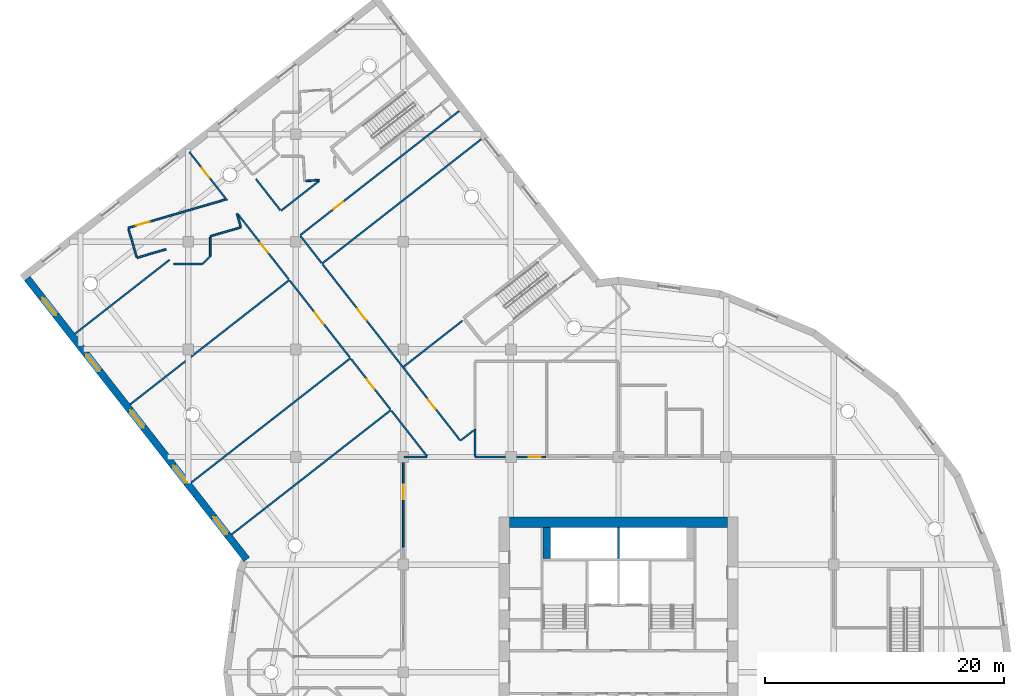
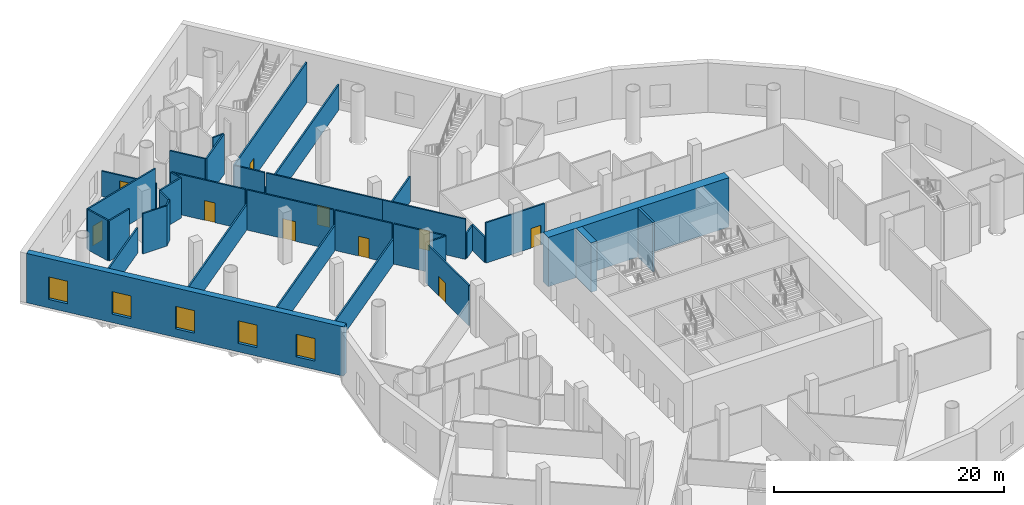
# One storey, part 9 of 23: 35 walls, 10 doors, 5 windows, 15 openings.
"""IFC4 building model written with IfcOpenShell, lengths in metres."""

from ifc_helpers import new_model, si_unit, direction, frame, frame_2d, origin, place, context, subcontext, project, spatial, rectangle, extrude, material, layer, layer_set, type_object, element, fill, save


model = new_model("IFC4")

# Units and contexts
model_context = context("Model", 3, precision=1e-05, world=origin(), true_north=direction((0.0, 1.0)))
body_context = subcontext(model_context, "Body", "Model", "MODEL_VIEW")
ifc_project = project(units=[si_unit("LENGTHUNIT", "METRE"), si_unit("AREAUNIT", "SQUARE_METRE"), si_unit("VOLUMEUNIT", "CUBIC_METRE"), si_unit("PLANEANGLEUNIT", "RADIAN"), si_unit("MASSUNIT", "GRAM", prefix="KILO")], contexts=[model_context])

# Site, building, storey
site_placement = place(None, origin())
site = spatial("IfcSite", under=ifc_project, at=site_placement, CompositionType="ELEMENT")
building_placement = place(site_placement, origin())
building = spatial("IfcBuilding", under=site, at=building_placement, Name="Tarsis Ring Headquarters", CompositionType="ELEMENT")
storey_placement = place(building_placement, frame((0.0, 0.0, 19.5)))
storey = spatial("IfcBuildingStorey", under=building, at=storey_placement, Name="L03", CompositionType="ELEMENT", Elevation=19.5)

# Walls
ifc_material_1 = material(Name="Concrete C60/75", Category="concrete")
ifc_layer_1 = layer(ifc_material_1, 0.89990234375)
ifc_layer_set_1 = layer_set([ifc_layer_1], Name="Core wall 900 C60/75")
wall_type_1 = type_object("IfcWallType", Name="Core wall 900 C60/75", PredefinedType="SHEAR", material=ifc_layer_set_1)
wall_1_placement = place(storey_placement, frame((-9.10009765625, 12.550048828125, 0.0), z_axis=(0.0, 0.0, 1.0), x_axis=(1.0, 0.0, 0.0)))
element("IfcWall", 1, at=wall_1_placement, inside=storey, type_object=wall_type_1, Name="Core wall ON", PredefinedType="SHEAR", context=body_context, shape_type="SweptSolid", body=[
    extrude(rectangle(XDim=18.2001953125, YDim=0.89990234375, at=frame_2d((9.10009765625, 0.0))), origin(), (0.0, 0.0, 1.0), 5.25),
])
ifc_material_2 = material(Name="Plasterboard partition")
ifc_layer_2 = layer(ifc_material_2, 0.14990234375)
ifc_layer_set_2 = layer_set([ifc_layer_2], Name="PO-PW150")
wall_type_2 = type_object("IfcWallType", Name="PO-PW150", PredefinedType="PARTITIONING", material=ifc_layer_set_2)
wall_2_placement = place(storey_placement, frame((-19.0361328125, 21.9287109375, 0.0), z_axis=(0.0, 0.0, 1.0), x_axis=(-0.788014736946, -0.61565637685, 0.0)))
element("IfcWall", 2, at=wall_2_placement, inside=storey, type_object=wall_type_2, Name="L03 partition wall 6", PredefinedType="PARTITIONING", context=body_context, shape_type="SweptSolid", body=[
    extrude(rectangle(XDim=16.89990234375, YDim=0.14990234375, at=frame_2d((8.449951171875, 0.0))), origin(), (0.0, 0.0, 1.0), 2.699951171875),
])
for number, where, z_axis, x_axis, name in (
    (3, (-22.42236328125, 26.262939453125, 0.0), (0.0, 0.0, 1.0), (-0.788007728406, -0.615665347386, 0.0), "L03 partition wall 7"),
    (4, (-27.5322265625, 32.803466796875, 0.0), (0.0, 0.0, 1.0), (-0.788007728406, -0.615665347386, 0.0), "L03 partition wall 8"),
    (5, (-11.4814453125, 44.582275390625, 0.0), (0.0, 0.0, 1.0), (-0.788007728406, -0.615665347386, 0.0), "L03 partition wall 9"),
):
    element("IfcWall", number, at=place(storey_placement, frame(where, z_axis=z_axis, x_axis=x_axis)), inside=storey, type_object=wall_type_2, Name=name, PredefinedType="PARTITIONING", context=body_context, shape_type="SweptSolid", body=[
        extrude(rectangle(XDim=16.900146484375, YDim=0.14990234375, at=frame_2d((8.4501953125, 0.0))), origin(), (0.0, 0.0, 1.0), 2.699951171875),
    ])
wall_3_placement = place(storey_placement, frame((-37.546875, 34.496826171875, 0.0), z_axis=(0.0, 0.0, 1.0), x_axis=(-0.788016272079, -0.615654411938, 0.0)))
element("IfcWall", 6, at=wall_3_placement, inside=storey, type_object=wall_type_2, Name="L03 partition wall 30", PredefinedType="PARTITIONING", context=body_context, shape_type="SweptSolid", body=[
    extrude(rectangle(XDim=10.051025390625, YDim=0.14990234375, at=frame_2d((5.025390625, 0.0))), origin(), (0.0, 0.0, 1.0), 2.699951171875),
])
wall_4_placement = place(storey_placement, frame((-13.05712890625, 29.39208984375, 0.0), z_axis=(0.0, 0.0, 1.0), x_axis=(-0.788001189634, -0.615673716457, 0.0)))
element("IfcWall", 7, at=wall_4_placement, inside=storey, type_object=wall_type_2, Name="L03 partition wall 55", PredefinedType="PARTITIONING", context=body_context, shape_type="SweptSolid", body=[
    extrude(rectangle(XDim=6.2265625, YDim=0.14990234375, at=frame_2d((3.11328125, 0.0))), origin(), (0.0, 0.0, 1.0), 2.699951171875),
])

# Wall, opening, door
wall_5_placement = place(storey_placement, frame((-35.904541015625, 43.52099609375, 0.0), z_axis=(0.0, 0.0, 1.0), x_axis=(0.61564312523, -0.788025089929, 0.0)))
wall_5 = element("IfcWall", 8, at=wall_5_placement, inside=storey, type_object=wall_type_2, Name="L03 partition wall 68", PredefinedType="PARTITIONING", context=body_context, shape_type="SweptSolid", body=[
    extrude(rectangle(XDim=5.16796875, YDim=0.14990234375, at=frame_2d((2.583984375, 0.0))), origin(), (0.0, 0.0, 1.0), 2.699951171875),
])
opening_1_placement = place(wall_5_placement, frame((1.720947265625, 0.0, 0.0)))
opening_1 = element("IfcOpeningElement", 9, at=opening_1_placement, cuts=wall_5, Name="Opening PO-D1A", PredefinedType="OPENING", context=body_context, shape_type="SweptSolid", body=[
    extrude(rectangle(XDim=1.0, YDim=2.10009765625, at=frame_2d((0.5, 1.050048828125))), frame((0.0, 0.0849609375, 0.0), z_axis=(0.0, -1.0, 0.0), x_axis=(1.0, 0.0, 0.0)), (0.0, 0.0, 1.0), 0.169921875),
])
ifc_material_3 = material(Name="Timber door", Category="wood")
door_type_1 = type_object("IfcDoorType", Name="PO-D1000-UNRATED", OperationType="NOTDEFINED", PredefinedType="DOOR", material=ifc_material_3)
door_1_placement = place(opening_1_placement, origin())
door_1 = element("IfcDoor", 10, at=door_1_placement, inside=storey, type_object=door_type_1, Name="Project room door", OperationType="SINGLE_SWING_LEFT", OverallHeight=2.10009765625, OverallWidth=1.0, PredefinedType="DOOR", context=body_context, shape_type="SweptSolid", body=[
    extrude(rectangle(XDim=1.0, YDim=2.10009765625, at=frame_2d((0.5, 1.050048828125))), frame((0.0, 0.02490234375, 0.0), z_axis=(0.0, -1.0, 0.0), x_axis=(1.0, 0.0, 0.0)), (0.0, 0.0, 1.0), 0.050048828125),
])
fill(opening_1, door_1)

# Walls
wall_6_placement = place(storey_placement, frame((-12.0, 20.319580078125, 0.0), z_axis=(0.0, 0.0, 1.0), x_axis=(0.0, -1.0, 0.0)))
element("IfcWall", 11, at=wall_6_placement, inside=storey, type_object=wall_type_2, Name="L03 partition wall 123", PredefinedType="PARTITIONING", context=body_context, shape_type="SweptSolid", body=[
    extrude(rectangle(XDim=2.239501953125, YDim=0.14990234375, at=frame_2d((1.11962890625, 0.0))), origin(), (0.0, 0.0, 1.0), 2.699951171875),
])
wall_7_placement = place(storey_placement, frame((-13.161376953125, 19.412109375, 0.0), z_axis=(0.0, 0.0, 1.0), x_axis=(0.787959583109, 0.615726964966, 0.0)))
element("IfcWall", 12, at=wall_7_placement, inside=storey, type_object=wall_type_2, Name="L03 partition wall 141", PredefinedType="PARTITIONING", context=body_context, shape_type="SweptSolid", body=[
    extrude(rectangle(XDim=1.31396484375, YDim=0.14990234375, at=frame_2d((0.656982421875, 0.0))), origin(), (0.0, 0.0, 1.0), 2.699951171875),
])

# Wall, opening, door
ifc_layer_3 = layer(ifc_material_2, 0.14990234375)
ifc_layer_set_3 = layer_set([ifc_layer_3], Name="PO-PW150R-4283")
wall_type_3 = type_object("IfcWallType", Name="PO-PW150R-4283", PredefinedType="PARTITIONING", material=ifc_layer_set_3)
wall_8_placement = place(storey_placement, frame((-13.3271484375, 46.944580078125, 0.0), z_axis=(0.0, 0.0, 1.0), x_axis=(-0.788009225699, -0.615663430953, 0.0)))
wall_8 = element("IfcWall", 13, at=wall_8_placement, inside=storey, type_object=wall_type_3, Name="L03 partition wall 11", PredefinedType="PARTITIONING", context=body_context, shape_type="SweptSolid", body=[
    extrude(rectangle(XDim=16.860107421875, YDim=0.14990234375, at=frame_2d((8.43017578125, 0.0))), origin(), (0.0, 0.0, 1.0), 4.282958984375),
])
opening_2_placement = place(wall_8_placement, frame((12.343505859375, 0.0, 0.0)))
opening_2 = element("IfcOpeningElement", 14, at=opening_2_placement, cuts=wall_8, Name="Opening PO-D1", PredefinedType="OPENING", context=body_context, shape_type="SweptSolid", body=[
    extrude(rectangle(XDim=1.0, YDim=2.10009765625, at=frame_2d((0.5, 1.050048828125))), frame((0.0, 0.0849609375, 0.0), z_axis=(0.0, -1.0, 0.0), x_axis=(1.0, 0.0, 0.0)), (0.0, 0.0, 1.0), 0.169921875),
])
door_type_2 = type_object("IfcDoorType", Name="PO-D1000", OperationType="NOTDEFINED", PredefinedType="DOOR", material=ifc_material_3)
door_2_placement = place(opening_2_placement, origin())
door_2 = element("IfcDoor", 15, at=door_2_placement, inside=storey, type_object=door_type_2, Name="Archive reading room door", OperationType="SINGLE_SWING_RIGHT", OverallHeight=2.10009765625, OverallWidth=1.0, PredefinedType="DOOR", context=body_context, shape_type="SweptSolid", body=[
    extrude(rectangle(XDim=1.0, YDim=2.10009765625, at=frame_2d((0.5, 1.050048828125))), frame((0.0, 0.02490234375, 0.0), z_axis=(0.0, -1.0, 0.0), x_axis=(1.0, 0.0, 0.0)), (0.0, 0.0, 1.0), 0.050048828125),
])
fill(opening_2, door_2)

wall_9_placement = place(storey_placement, frame((-24.749755859375, 34.114501953125, 0.0), z_axis=(0.0, 0.0, 1.0), x_axis=(0.615672676141, -0.788002002443, 0.0)))
wall_9 = element("IfcWall", 16, at=wall_9_placement, inside=storey, type_object=wall_type_3, Name="L03 partition wall 16", PredefinedType="PARTITIONING", context=body_context, shape_type="SweptSolid", body=[
    extrude(rectangle(XDim=10.919921875, YDim=0.14990234375, at=frame_2d((5.4599609375, 0.0))), origin(), (0.0, 0.0, 1.0), 4.282958984375),
])
opening_3_placement = place(wall_9_placement, frame((4.739990234375, 0.0, 0.0)))
opening_3 = element("IfcOpeningElement", 17, at=opening_3_placement, cuts=wall_9, Name="Opening PO-D2", PredefinedType="OPENING", context=body_context, shape_type="SweptSolid", body=[
    extrude(rectangle(XDim=1.199951171875, YDim=2.10009765625, at=frame_2d((0.60009765625, 1.050048828125))), frame((0.0, 0.0849609375, 0.0), z_axis=(0.0, -1.0, 0.0), x_axis=(1.0, 0.0, 0.0)), (0.0, 0.0, 1.0), 0.169921875),
])
door_type_3 = type_object("IfcDoorType", Name="PO-D1200", OperationType="NOTDEFINED", PredefinedType="DOOR", material=ifc_material_3)
door_3_placement = place(opening_3_placement, origin())
door_3 = element("IfcDoor", 18, at=door_3_placement, inside=storey, type_object=door_type_3, Name="Heritage gallery door", OperationType="SINGLE_SWING_LEFT", OverallHeight=2.10009765625, OverallWidth=1.199951171875, PredefinedType="DOOR", context=body_context, shape_type="SweptSolid", body=[
    extrude(rectangle(XDim=1.199951171875, YDim=2.10009765625, at=frame_2d((0.60009765625, 1.050048828125))), frame((0.0, 0.02490234375, 0.0), z_axis=(0.0, -1.0, 0.0), x_axis=(1.0, 0.0, 0.0)), (0.0, 0.0, 1.0), 0.050048828125),
])
fill(opening_3, door_3)

wall_10_placement = place(storey_placement, frame((-41.0166015625, 37.15771484375, 0.0), z_axis=(0.0, 0.0, 1.0), x_axis=(0.959684616807, 0.281079056964, 0.0)))
wall_10 = element("IfcWall", 19, at=wall_10_placement, inside=storey, type_object=wall_type_3, Name="L03 partition wall 32", PredefinedType="PARTITIONING", context=body_context, shape_type="SweptSolid", body=[
    extrude(rectangle(XDim=8.5478515625, YDim=0.14990234375, at=frame_2d((4.27392578125, 0.0))), origin(), (0.0, 0.0, 1.0), 4.282958984375),
])
opening_4_placement = place(wall_10_placement, frame((0.676513671875, 0.0, 0.0)))
opening_4 = element("IfcOpeningElement", 20, at=opening_4_placement, cuts=wall_10, Name="Opening PO-D2", PredefinedType="OPENING", context=body_context, shape_type="SweptSolid", body=[
    extrude(rectangle(XDim=1.199951171875, YDim=2.10009765625, at=frame_2d((0.60009765625, 1.050048828125))), frame((0.0, 0.0849609375, 0.0), z_axis=(0.0, -1.0, 0.0), x_axis=(1.0, 0.0, 0.0)), (0.0, 0.0, 1.0), 0.169921875),
])
door_4_placement = place(opening_4_placement, origin())
door_4 = element("IfcDoor", 21, at=door_4_placement, inside=storey, type_object=door_type_3, Name="Heritage gallery door", OperationType="SINGLE_SWING_LEFT", OverallHeight=2.10009765625, OverallWidth=1.199951171875, PredefinedType="DOOR", context=body_context, shape_type="SweptSolid", body=[
    extrude(rectangle(XDim=1.199951171875, YDim=2.10009765625, at=frame_2d((0.60009765625, 1.050048828125))), frame((0.0, 0.02490234375, 0.0), z_axis=(0.0, -1.0, 0.0), x_axis=(1.0, 0.0, 0.0)), (0.0, 0.0, 1.0), 0.050048828125),
])
fill(opening_4, door_4)

wall_11_placement = place(storey_placement, frame((-22.4716796875, 26.325927734375, 0.0), z_axis=(0.0, 0.0, 1.0), x_axis=(-0.615666741104, 0.788006639501, 0.0)))
wall_11 = element("IfcWall", 22, at=wall_11_placement, inside=storey, type_object=wall_type_3, Name="L03 partition wall 36", PredefinedType="PARTITIONING", context=body_context, shape_type="SweptSolid", body=[
    extrude(rectangle(XDim=8.139892578125, YDim=0.14990234375, at=frame_2d((4.06982421875, 0.0))), origin(), (0.0, 0.0, 1.0), 4.282958984375),
])
opening_5_placement = place(wall_11_placement, frame((3.570068359375, 0.0, 0.0)))
opening_5 = element("IfcOpeningElement", 23, at=opening_5_placement, cuts=wall_11, Name="Opening PO-D2", PredefinedType="OPENING", context=body_context, shape_type="SweptSolid", body=[
    extrude(rectangle(XDim=1.199951171875, YDim=2.10009765625, at=frame_2d((0.60009765625, 1.050048828125))), frame((0.0, 0.0849609375, 0.0), z_axis=(0.0, -1.0, 0.0), x_axis=(1.0, 0.0, 0.0)), (0.0, 0.0, 1.0), 0.169921875),
])
door_5_placement = place(opening_5_placement, origin())
door_5 = element("IfcDoor", 24, at=door_5_placement, inside=storey, type_object=door_type_3, Name="Library door", OperationType="SINGLE_SWING_LEFT", OverallHeight=2.10009765625, OverallWidth=1.199951171875, PredefinedType="DOOR", context=body_context, shape_type="SweptSolid", body=[
    extrude(rectangle(XDim=1.199951171875, YDim=2.10009765625, at=frame_2d((0.60009765625, 1.050048828125))), frame((0.0, 0.02490234375, 0.0), z_axis=(0.0, -1.0, 0.0), x_axis=(1.0, 0.0, 0.0)), (0.0, 0.0, 1.0), 0.050048828125),
])
fill(opening_5, door_5)

wall_12_placement = place(storey_placement, frame((-18.026611328125, 25.509521484375, 0.0), z_axis=(0.0, 0.0, 1.0), x_axis=(0.615668337512, -0.788005392231, 0.0)))
wall_12 = element("IfcWall", 25, at=wall_12_placement, inside=storey, type_object=wall_type_3, Name="L03 partition wall 40", PredefinedType="PARTITIONING", context=body_context, shape_type="SweptSolid", body=[
    extrude(rectangle(XDim=7.800048828125, YDim=0.14990234375, at=frame_2d((3.89990234375, 0.0))), origin(), (0.0, 0.0, 1.0), 4.282958984375),
])
opening_6_placement = place(wall_12_placement, frame((3.419921875, 0.0, 0.0)))
opening_6 = element("IfcOpeningElement", 26, at=opening_6_placement, cuts=wall_12, Name="Opening PO-D1", PredefinedType="OPENING", context=body_context, shape_type="SweptSolid", body=[
    extrude(rectangle(XDim=1.0, YDim=2.10009765625, at=frame_2d((0.5, 1.050048828125))), frame((0.0, 0.0849609375, 0.0), z_axis=(0.0, -1.0, 0.0), x_axis=(1.0, 0.0, 0.0)), (0.0, 0.0, 1.0), 0.169921875),
])
door_6_placement = place(opening_6_placement, origin())
door_6 = element("IfcDoor", 27, at=door_6_placement, inside=storey, type_object=door_type_2, Name="Digital studio door", OperationType="SINGLE_SWING_RIGHT", OverallHeight=2.10009765625, OverallWidth=1.0, PredefinedType="DOOR", context=body_context, shape_type="SweptSolid", body=[
    extrude(rectangle(XDim=1.0, YDim=2.10009765625, at=frame_2d((0.5, 1.050048828125))), frame((0.0, 0.02490234375, 0.0), z_axis=(0.0, -1.0, 0.0), x_axis=(1.0, 0.0, 0.0)), (0.0, 0.0, 1.0), 0.050048828125),
])
fill(opening_6, door_6)

wall_13_placement = place(storey_placement, frame((-18.0, 10.428955078125, 0.0), z_axis=(0.0, 0.0, 1.0), x_axis=(0.0, 1.0, 0.0)))
wall_13 = element("IfcWall", 28, at=wall_13_placement, inside=storey, type_object=wall_type_3, Name="L03 partition wall 45", PredefinedType="PARTITIONING", context=body_context, shape_type="SweptSolid", body=[
    extrude(rectangle(XDim=7.571044921875, YDim=0.14990234375, at=frame_2d((3.78564453125, 0.0))), origin(), (0.0, 0.0, 1.0), 4.282958984375),
])
opening_7_placement = place(wall_13_placement, frame((4.048583984375, 0.0, 0.0)))
opening_7 = element("IfcOpeningElement", 29, at=opening_7_placement, cuts=wall_13, Name="Opening PO-D2", PredefinedType="OPENING", context=body_context, shape_type="SweptSolid", body=[
    extrude(rectangle(XDim=1.199951171875, YDim=2.10009765625, at=frame_2d((0.60009765625, 1.050048828125))), frame((0.0, 0.0849609375, 0.0), z_axis=(0.0, -1.0, 0.0), x_axis=(1.0, 0.0, 0.0)), (0.0, 0.0, 1.0), 0.169921875),
])
door_7_placement = place(opening_7_placement, origin())
door_7 = element("IfcDoor", 30, at=door_7_placement, inside=storey, type_object=door_type_3, Name="Archive reading room door", OperationType="SINGLE_SWING_LEFT", OverallHeight=2.10009765625, OverallWidth=1.199951171875, PredefinedType="DOOR", context=body_context, shape_type="SweptSolid", body=[
    extrude(rectangle(XDim=1.199951171875, YDim=2.10009765625, at=frame_2d((0.60009765625, 1.050048828125))), frame((0.0, 0.02490234375, 0.0), z_axis=(0.0, -1.0, 0.0), x_axis=(1.0, 0.0, 0.0)), (0.0, 0.0, 1.0), 0.050048828125),
])
fill(opening_7, door_7)

wall_14_placement = place(storey_placement, frame((-27.58154296875, 32.866455078125, 0.0), z_axis=(0.0, 0.0, 1.0), x_axis=(-0.615679571488, 0.787996615001, 0.0)))
wall_14 = element("IfcWall", 31, at=wall_14_placement, inside=storey, type_object=wall_type_3, Name="L03 partition wall 49", PredefinedType="PARTITIONING", context=body_context, shape_type="SweptSolid", body=[
    extrude(rectangle(XDim=6.933837890625, YDim=0.14990234375, at=frame_2d((3.466796875, 0.0))), origin(), (0.0, 0.0, 1.0), 4.282958984375),
])
opening_8_placement = place(wall_14_placement, frame((2.840087890625, 0.0, 0.0)))
opening_8 = element("IfcOpeningElement", 32, at=opening_8_placement, cuts=wall_14, Name="Opening PO-D1", PredefinedType="OPENING", context=body_context, shape_type="SweptSolid", body=[
    extrude(rectangle(XDim=1.0, YDim=2.10009765625, at=frame_2d((0.5, 1.050048828125))), frame((0.0, 0.0849609375, 0.0), z_axis=(0.0, -1.0, 0.0), x_axis=(1.0, 0.0, 0.0)), (0.0, 0.0, 1.0), 0.169921875),
])
door_8_placement = place(opening_8_placement, origin())
door_8 = element("IfcDoor", 33, at=door_8_placement, inside=storey, type_object=door_type_2, Name="Digital studio door", OperationType="SINGLE_SWING_RIGHT", OverallHeight=2.10009765625, OverallWidth=1.0, PredefinedType="DOOR", context=body_context, shape_type="SweptSolid", body=[
    extrude(rectangle(XDim=1.0, YDim=2.10009765625, at=frame_2d((0.5, 1.050048828125))), frame((0.0, 0.02490234375, 0.0), z_axis=(0.0, -1.0, 0.0), x_axis=(1.0, 0.0, 0.0)), (0.0, 0.0, 1.0), 0.050048828125),
])
fill(opening_8, door_8)

wall_15_placement = place(storey_placement, frame((-12.0, 18.0, 0.0), z_axis=(0.0, 0.0, 1.0), x_axis=(1.0, 0.0, 0.0)))
wall_15 = element("IfcWall", 34, at=wall_15_placement, inside=storey, type_object=wall_type_3, Name="L03 partition wall 58", PredefinedType="PARTITIONING", context=body_context, shape_type="SweptSolid", body=[
    extrude(rectangle(XDim=5.919921875, YDim=0.14990234375, at=frame_2d((2.9599609375, 0.0))), origin(), (0.0, 0.0, 1.0), 4.282958984375),
])
opening_9_placement = place(wall_15_placement, frame((4.5, 0.0, 0.0)))
opening_9 = element("IfcOpeningElement", 35, at=opening_9_placement, cuts=wall_15, Name="Opening PO-D1", PredefinedType="OPENING", context=body_context, shape_type="SweptSolid", body=[
    extrude(rectangle(XDim=1.0, YDim=2.10009765625, at=frame_2d((0.5, 1.050048828125))), frame((0.0, 0.0849609375, 0.0), z_axis=(0.0, -1.0, 0.0), x_axis=(1.0, 0.0, 0.0)), (0.0, 0.0, 1.0), 0.169921875),
])
door_9_placement = place(opening_9_placement, origin())
door_9 = element("IfcDoor", 36, at=door_9_placement, inside=storey, type_object=door_type_2, Name="Male WC door", OperationType="SINGLE_SWING_RIGHT", OverallHeight=2.10009765625, OverallWidth=1.0, PredefinedType="DOOR", context=body_context, shape_type="SweptSolid", body=[
    extrude(rectangle(XDim=1.0, YDim=2.10009765625, at=frame_2d((0.5, 1.050048828125))), frame((0.0, 0.02490234375, 0.0), z_axis=(0.0, -1.0, 0.0), x_axis=(1.0, 0.0, 0.0)), (0.0, 0.0, 1.0), 0.050048828125),
])
fill(opening_9, door_9)

wall_16_placement = place(storey_placement, frame((-19.08544921875, 21.991943359375, 0.0), z_axis=(0.0, 0.0, 1.0), x_axis=(-0.615654688472, 0.788016056031, 0.0)))
wall_16 = element("IfcWall", 37, at=wall_16_placement, inside=storey, type_object=wall_type_3, Name="L03 partition wall 64", PredefinedType="PARTITIONING", context=body_context, shape_type="SweptSolid", body=[
    extrude(rectangle(XDim=5.340087890625, YDim=0.14990234375, at=frame_2d((2.669921875, 0.0))), origin(), (0.0, 0.0, 1.0), 4.282958984375),
])
opening_10_placement = place(wall_16_placement, frame((2.169921875, 0.0, 0.0)))
opening_10 = element("IfcOpeningElement", 38, at=opening_10_placement, cuts=wall_16, Name="Opening PO-D1", PredefinedType="OPENING", context=body_context, shape_type="SweptSolid", body=[
    extrude(rectangle(XDim=1.0, YDim=2.10009765625, at=frame_2d((0.5, 1.050048828125))), frame((0.0, 0.0849609375, 0.0), z_axis=(0.0, -1.0, 0.0), x_axis=(1.0, 0.0, 0.0)), (0.0, 0.0, 1.0), 0.169921875),
])
door_10_placement = place(opening_10_placement, origin())
door_10 = element("IfcDoor", 39, at=door_10_placement, inside=storey, type_object=door_type_2, Name="Archive store door", OperationType="SINGLE_SWING_RIGHT", OverallHeight=2.10009765625, OverallWidth=1.0, PredefinedType="DOOR", context=body_context, shape_type="SweptSolid", body=[
    extrude(rectangle(XDim=1.0, YDim=2.10009765625, at=frame_2d((0.5, 1.050048828125))), frame((0.0, 0.02490234375, 0.0), z_axis=(0.0, -1.0, 0.0), x_axis=(1.0, 0.0, 0.0)), (0.0, 0.0, 1.0), 0.050048828125),
])
fill(opening_10, door_10)

# Walls
wall_17_placement = place(storey_placement, frame((-15.997802734375, 18.0400390625, 0.0), z_axis=(0.0, 0.0, 1.0), x_axis=(-0.615700638712, 0.787980154249, 0.0)))
element("IfcWall", 40, at=wall_17_placement, inside=storey, type_object=wall_type_3, Name="L03 partition wall 71", PredefinedType="PARTITIONING", context=body_context, shape_type="SweptSolid", body=[
    extrude(rectangle(XDim=4.85498046875, YDim=0.14990234375, at=frame_2d((2.427490234375, 0.0))), origin(), (0.0, 0.0, 1.0), 4.282958984375),
])
wall_18_placement = place(storey_placement, frame((-28.2138671875, 38.61328125, 0.0), z_axis=(0.0, 0.0, 1.0), x_axis=(0.787993219006, 0.615683917933, 0.0)))
element("IfcWall", 41, at=wall_18_placement, inside=storey, type_object=wall_type_3, Name="L03 partition wall 84", PredefinedType="PARTITIONING", context=body_context, shape_type="SweptSolid", body=[
    extrude(rectangle(XDim=4.03955078125, YDim=0.14990234375, at=frame_2d((2.019775390625, 0.0))), origin(), (0.0, 0.0, 1.0), 4.282958984375),
])
wall_19_placement = place(storey_placement, frame((-30.336181640625, 41.26513671875, 0.0), z_axis=(0.0, 0.0, 1.0), x_axis=(0.615631261575, -0.788034358243, 0.0)))
element("IfcWall", 42, at=wall_19_placement, inside=storey, type_object=wall_type_3, Name="L03 partition wall 93", PredefinedType="PARTITIONING", context=body_context, shape_type="SweptSolid", body=[
    extrude(rectangle(XDim=3.33642578125, YDim=0.14990234375, at=frame_2d((1.668212890625, 0.0))), origin(), (0.0, 0.0, 1.0), 4.282958984375),
])
wall_20_placement = place(storey_placement, frame((-26.607666015625, 36.49267578125, 0.0), z_axis=(0.0, 0.0, 1.0), x_axis=(0.615642384281, -0.788025668793, 0.0)))
element("IfcWall", 43, at=wall_20_placement, inside=storey, type_object=wall_type_3, Name="L03 partition wall 98", PredefinedType="PARTITIONING", context=body_context, shape_type="SweptSolid", body=[
    extrude(rectangle(XDim=2.85791015625, YDim=0.14990234375, at=frame_2d((1.428955078125, 0.0))), origin(), (0.0, 0.0, 1.0), 4.282958984375),
])
wall_21_placement = place(storey_placement, frame((-31.585205078125, 37.210693359375, 0.0), z_axis=(0.0, 0.0, 1.0), x_axis=(-0.95970376078, -0.281013685689, 0.0)))
element("IfcWall", 44, at=wall_21_placement, inside=storey, type_object=wall_type_3, Name="L03 partition wall 106", PredefinedType="PARTITIONING", context=body_context, shape_type="SweptSolid", body=[
    extrude(rectangle(XDim=2.67236328125, YDim=0.14990234375, at=frame_2d((1.336181640625, 0.0))), origin(), (0.0, 0.0, 1.0), 4.282958984375),
])
wall_22_placement = place(storey_placement, frame((-40.308349609375, 34.739501953125, 0.0), z_axis=(0.0, 0.0, 1.0), x_axis=(-0.281071840828, 0.959686730289, 0.0)))
element("IfcWall", 45, at=wall_22_placement, inside=storey, type_object=wall_type_3, Name="L03 partition wall 107", PredefinedType="PARTITIONING", context=body_context, shape_type="SweptSolid", body=[
    extrude(rectangle(XDim=2.43994140625, YDim=0.14990234375, at=frame_2d((1.219970703125, 0.0))), origin(), (0.0, 0.0, 1.0), 4.282958984375),
])
wall_23_placement = place(storey_placement, frame((-37.85009765625, 35.3759765625, 0.0), z_axis=(0.0, 0.0, 1.0), x_axis=(-0.959688058574, -0.281067305518, 0.0)))
element("IfcWall", 46, at=wall_23_placement, inside=storey, type_object=wall_type_3, Name="L03 partition wall 112", PredefinedType="PARTITIONING", context=body_context, shape_type="SweptSolid", body=[
    extrude(rectangle(XDim=2.5380859375, YDim=0.14990234375, at=frame_2d((1.26904296875, 0.0))), origin(), (0.0, 0.0, 1.0), 4.282958984375),
])
wall_24_placement = place(storey_placement, frame((-34.800048828125, 34.14990234375, 0.0), z_axis=(0.0, 0.0, 1.0), x_axis=(-1.0, 0.0, 0.0)))
element("IfcWall", 47, at=wall_24_placement, inside=storey, type_object=wall_type_3, Name="L03 partition wall 116", PredefinedType="PARTITIONING", context=body_context, shape_type="SweptSolid", body=[
    extrude(rectangle(XDim=2.39990234375, YDim=0.14990234375, at=frame_2d((1.199951171875, 0.0))), origin(), (0.0, 0.0, 1.0), 4.282958984375),
])
wall_25_placement = place(storey_placement, frame((-17.919921875, 18.0, 0.0), z_axis=(0.0, 0.0, 1.0), x_axis=(1.0, 0.0, 0.0)))
element("IfcWall", 48, at=wall_25_placement, inside=storey, type_object=wall_type_3, Name="L03 partition wall 132", PredefinedType="PARTITIONING", context=body_context, shape_type="SweptSolid", body=[
    extrude(rectangle(XDim=1.877197265625, YDim=0.14990234375, at=frame_2d((0.9384765625, 0.0))), origin(), (0.0, 0.0, 1.0), 4.282958984375),
])
wall_26_placement = place(storey_placement, frame((-34.14990234375, 36.379638671875, 0.0), z_axis=(0.0, 0.0, 1.0), x_axis=(0.0, -1.0, 0.0)))
element("IfcWall", 49, at=wall_26_placement, inside=storey, type_object=wall_type_3, Name="L03 partition wall 139", PredefinedType="PARTITIONING", context=body_context, shape_type="SweptSolid", body=[
    extrude(rectangle(XDim=1.57958984375, YDim=0.14990234375, at=frame_2d((0.789794921875, 0.0))), origin(), (0.0, 0.0, 1.0), 4.282958984375),
])
wall_27_placement = place(storey_placement, frame((-25.017578125, 41.1611328125, 0.0), z_axis=(0.0, 0.0, 1.0), x_axis=(-0.998101036253, -0.061598063527, 0.0)))
element("IfcWall", 50, at=wall_27_placement, inside=storey, type_object=wall_type_3, Name="L03 partition wall 148", PredefinedType="PARTITIONING", context=body_context, shape_type="SweptSolid", body=[
    extrude(rectangle(XDim=1.1494140625, YDim=0.14990234375, at=frame_2d((0.57470703125, 0.0))), origin(), (0.0, 0.0, 1.0), 4.282958984375),
])
wall_28_placement = place(storey_placement, frame((-31.920166015625, 38.3544921875, 0.0), z_axis=(0.0, 0.0, 1.0), x_axis=(0.281096092192, -0.959679627248, 0.0)))
element("IfcWall", 51, at=wall_28_placement, inside=storey, type_object=wall_type_3, Name="L03 partition wall 151", PredefinedType="PARTITIONING", context=body_context, shape_type="SweptSolid", body=[
    extrude(rectangle(XDim=1.11181640625, YDim=0.14990234375, at=frame_2d((0.555908203125, 0.0))), origin(), (0.0, 0.0, 1.0), 4.282958984375),
])
wall_29_placement = place(storey_placement, frame((-34.14990234375, 34.800048828125, 0.0), z_axis=(0.0, 0.0, 1.0), x_axis=(-0.707106781187, -0.707106781187, 0.0)))
element("IfcWall", 52, at=wall_29_placement, inside=storey, type_object=wall_type_3, Name="L03 partition wall 164", PredefinedType="PARTITIONING", context=body_context, shape_type="SweptSolid", body=[
    extrude(rectangle(XDim=0.91943359375, YDim=0.14990234375, at=frame_2d((0.459716796875, 0.0))), origin(), (0.0, 0.0, 1.0), 4.282958984375),
])

# Wall, openings, windows
ifc_layer_4 = layer(ifc_material_1, 0.60009765625)
ifc_layer_set_4 = layer_set([ifc_layer_4], Name="PO-W600")
wall_type_4 = type_object("IfcWallType", Name="PO-W600", PredefinedType="SOLIDWALL", material=ifc_layer_set_4)
wall_30_placement = place(storey_placement, frame((-49.459228515625, 32.930908203125, 0.0), z_axis=(0.0, 0.0, 1.0), x_axis=(0.615664215937, -0.788008612399, 0.0)))
wall_30 = element("IfcWall", 53, at=wall_30_placement, inside=storey, type_object=wall_type_4, Name="L03 external wall 1", PredefinedType="SOLIDWALL", context=body_context, shape_type="SweptSolid", body=[
    extrude(rectangle(XDim=29.82470703125, YDim=0.60009765625, at=frame_2d((14.912353515625, 0.0))), origin(), (0.0, 0.0, 1.0), 5.25),
])
opening_11_placement = place(wall_30_placement, frame((2.08251953125, 0.0, 0.89990234375)))
opening_11 = element("IfcOpeningElement", 54, at=opening_11_placement, cuts=wall_30, Name="Opening PO-WN1", PredefinedType="OPENING", context=body_context, shape_type="SweptSolid", body=[
    extrude(rectangle(XDim=1.800048828125, YDim=2.39990234375, at=frame_2d((0.89990234375, 1.199951171875))), frame((0.0, 0.31005859375, 0.0), z_axis=(0.0, -1.0, 0.0), x_axis=(1.0, 0.0, 0.0)), (0.0, 0.0, 1.0), 0.6201171875),
])
opening_12_placement = place(wall_30_placement, frame((8.04736328125, 0.0, 0.89990234375)))
opening_12 = element("IfcOpeningElement", 55, at=opening_12_placement, cuts=wall_30, Name="Opening PO-WN1", PredefinedType="OPENING", context=body_context, shape_type="SweptSolid", body=[
    extrude(rectangle(XDim=1.800048828125, YDim=2.39990234375, at=frame_2d((0.89990234375, 1.199951171875))), frame((0.0, 0.31005859375, 0.0), z_axis=(0.0, -1.0, 0.0), x_axis=(1.0, 0.0, 0.0)), (0.0, 0.0, 1.0), 0.6201171875),
])
opening_13_placement = place(wall_30_placement, frame((14.012451171875, 0.0, 0.89990234375)))
opening_13 = element("IfcOpeningElement", 56, at=opening_13_placement, cuts=wall_30, Name="Opening PO-WN1", PredefinedType="OPENING", context=body_context, shape_type="SweptSolid", body=[
    extrude(rectangle(XDim=1.800048828125, YDim=2.39990234375, at=frame_2d((0.89990234375, 1.199951171875))), frame((0.0, 0.31005859375, 0.0), z_axis=(0.0, -1.0, 0.0), x_axis=(1.0, 0.0, 0.0)), (0.0, 0.0, 1.0), 0.6201171875),
])
opening_14_placement = place(wall_30_placement, frame((19.877197265625, 0.0, 0.89990234375)))
opening_14 = element("IfcOpeningElement", 57, at=opening_14_placement, cuts=wall_30, Name="Opening PO-WN1", PredefinedType="OPENING", context=body_context, shape_type="SweptSolid", body=[
    extrude(rectangle(XDim=1.800048828125, YDim=2.39990234375, at=frame_2d((0.89990234375, 1.199951171875))), frame((0.0, 0.31005859375, 0.0), z_axis=(0.0, -1.0, 0.0), x_axis=(1.0, 0.0, 0.0)), (0.0, 0.0, 1.0), 0.6201171875),
])
opening_15_placement = place(wall_30_placement, frame((25.34228515625, 0.0, 0.89990234375)))
opening_15 = element("IfcOpeningElement", 58, at=opening_15_placement, cuts=wall_30, Name="Opening PO-WN1", PredefinedType="OPENING", context=body_context, shape_type="SweptSolid", body=[
    extrude(rectangle(XDim=1.800048828125, YDim=2.39990234375, at=frame_2d((0.89990234375, 1.199951171875))), frame((0.0, 0.31005859375, 0.0), z_axis=(0.0, -1.0, 0.0), x_axis=(1.0, 0.0, 0.0)), (0.0, 0.0, 1.0), 0.6201171875),
])
ifc_material_4 = material(Name="Double glazing", Category="glass")
window_type = type_object("IfcWindowType", Name="PO-WN1800", PartitioningType="SINGLE_PANEL", PredefinedType="WINDOW", material=ifc_material_4)
window_1_placement = place(opening_11_placement, origin())
window_1 = element("IfcWindow", 59, at=window_1_placement, inside=storey, type_object=window_type, Name="L03 window 1.1", OverallHeight=2.39990234375, OverallWidth=1.800048828125, PartitioningType="SINGLE_PANEL", PredefinedType="WINDOW", context=body_context, shape_type="SweptSolid", body=[
    extrude(rectangle(XDim=1.800048828125, YDim=2.39990234375, at=frame_2d((0.89990234375, 1.199951171875))), frame((0.0, 0.030029296875, 0.0), z_axis=(0.0, -1.0, 0.0), x_axis=(1.0, 0.0, 0.0)), (0.0, 0.0, 1.0), 0.06005859375),
])
fill(opening_11, window_1)
window_2_placement = place(opening_12_placement, origin())
window_2 = element("IfcWindow", 60, at=window_2_placement, inside=storey, type_object=window_type, Name="L03 window 1.2", OverallHeight=2.39990234375, OverallWidth=1.800048828125, PartitioningType="SINGLE_PANEL", PredefinedType="WINDOW", context=body_context, shape_type="SweptSolid", body=[
    extrude(rectangle(XDim=1.800048828125, YDim=2.39990234375, at=frame_2d((0.89990234375, 1.199951171875))), frame((0.0, 0.030029296875, 0.0), z_axis=(0.0, -1.0, 0.0), x_axis=(1.0, 0.0, 0.0)), (0.0, 0.0, 1.0), 0.06005859375),
])
fill(opening_12, window_2)
window_3_placement = place(opening_13_placement, origin())
window_3 = element("IfcWindow", 61, at=window_3_placement, inside=storey, type_object=window_type, Name="L03 window 1.3", OverallHeight=2.39990234375, OverallWidth=1.800048828125, PartitioningType="SINGLE_PANEL", PredefinedType="WINDOW", context=body_context, shape_type="SweptSolid", body=[
    extrude(rectangle(XDim=1.800048828125, YDim=2.39990234375, at=frame_2d((0.89990234375, 1.199951171875))), frame((0.0, 0.030029296875, 0.0), z_axis=(0.0, -1.0, 0.0), x_axis=(1.0, 0.0, 0.0)), (0.0, 0.0, 1.0), 0.06005859375),
])
fill(opening_13, window_3)
window_4_placement = place(opening_14_placement, origin())
window_4 = element("IfcWindow", 62, at=window_4_placement, inside=storey, type_object=window_type, Name="L03 window 1.4", OverallHeight=2.39990234375, OverallWidth=1.800048828125, PartitioningType="SINGLE_PANEL", PredefinedType="WINDOW", context=body_context, shape_type="SweptSolid", body=[
    extrude(rectangle(XDim=1.800048828125, YDim=2.39990234375, at=frame_2d((0.89990234375, 1.199951171875))), frame((0.0, 0.030029296875, 0.0), z_axis=(0.0, -1.0, 0.0), x_axis=(1.0, 0.0, 0.0)), (0.0, 0.0, 1.0), 0.06005859375),
])
fill(opening_14, window_4)
window_5_placement = place(opening_15_placement, origin())
window_5 = element("IfcWindow", 63, at=window_5_placement, inside=storey, type_object=window_type, Name="L03 window 1.5", OverallHeight=2.39990234375, OverallWidth=1.800048828125, PartitioningType="SINGLE_PANEL", PredefinedType="WINDOW", context=body_context, shape_type="SweptSolid", body=[
    extrude(rectangle(XDim=1.800048828125, YDim=2.39990234375, at=frame_2d((0.89990234375, 1.199951171875))), frame((0.0, 0.030029296875, 0.0), z_axis=(0.0, -1.0, 0.0), x_axis=(1.0, 0.0, 0.0)), (0.0, 0.0, 1.0), 0.06005859375),
])
fill(opening_15, window_5)

# Walls
ifc_material_5 = material(Name="Concrete C32/40", Category="concrete")
ifc_layer_5 = layer(ifc_material_5, 0.60009765625)
ifc_layer_set_5 = layer_set([ifc_layer_5], Name="Shaft end wall 600 C32/40")
wall_type_5 = type_object("IfcWallType", Name="Shaft end wall 600 C32/40", PredefinedType="SOLIDWALL", material=ifc_layer_set_5)
wall_31_placement = place(storey_placement, frame((-6.0, 9.5, 0.0), z_axis=(0.0, 0.0, 1.0), x_axis=(0.0, 1.0, 0.0)))
element("IfcWall", 64, at=wall_31_placement, inside=storey, type_object=wall_type_5, Name="Core shaft wall NNE1", PredefinedType="SOLIDWALL", context=body_context, shape_type="SweptSolid", body=[
    extrude(rectangle(XDim=2.60009765625, YDim=0.60009765625, at=frame_2d((1.300048828125, 0.0))), origin(), (0.0, 0.0, 1.0), 5.25),
])
ifc_layer_6 = layer(ifc_material_5, 0.199951171875)
ifc_layer_set_6 = layer_set([ifc_layer_6], Name="Shaft wall 200 C32/40")
wall_type_6 = type_object("IfcWallType", Name="Shaft wall 200 C32/40", PredefinedType="SOLIDWALL", material=ifc_layer_set_6)
wall_32_placement = place(storey_placement, frame((0.0, 9.5, 0.0), z_axis=(0.0, 0.0, 1.0), x_axis=(0.0, 1.0, 0.0)))
element("IfcWall", 65, at=wall_32_placement, inside=storey, type_object=wall_type_6, Name="Core shaft wall ND2", PredefinedType="SOLIDWALL", context=body_context, shape_type="SweptSolid", body=[
    extrude(rectangle(XDim=2.60009765625, YDim=0.199951171875, at=frame_2d((1.300048828125, 0.0))), origin(), (0.0, 0.0, 1.0), 5.25),
])

save(model, "model.ifc")
